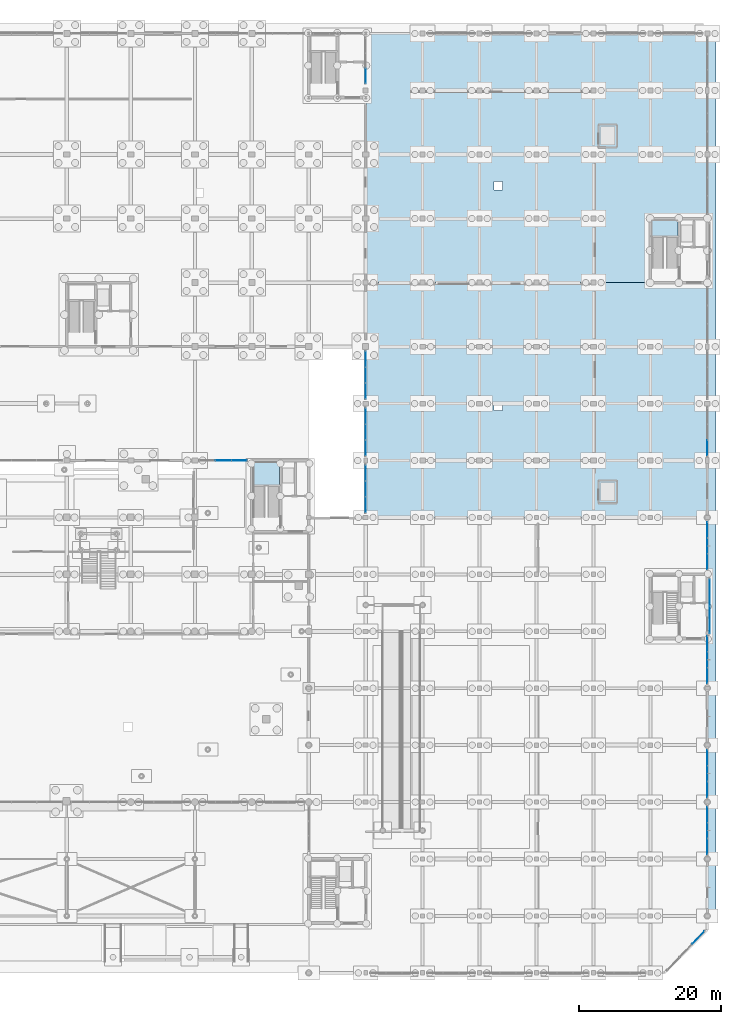
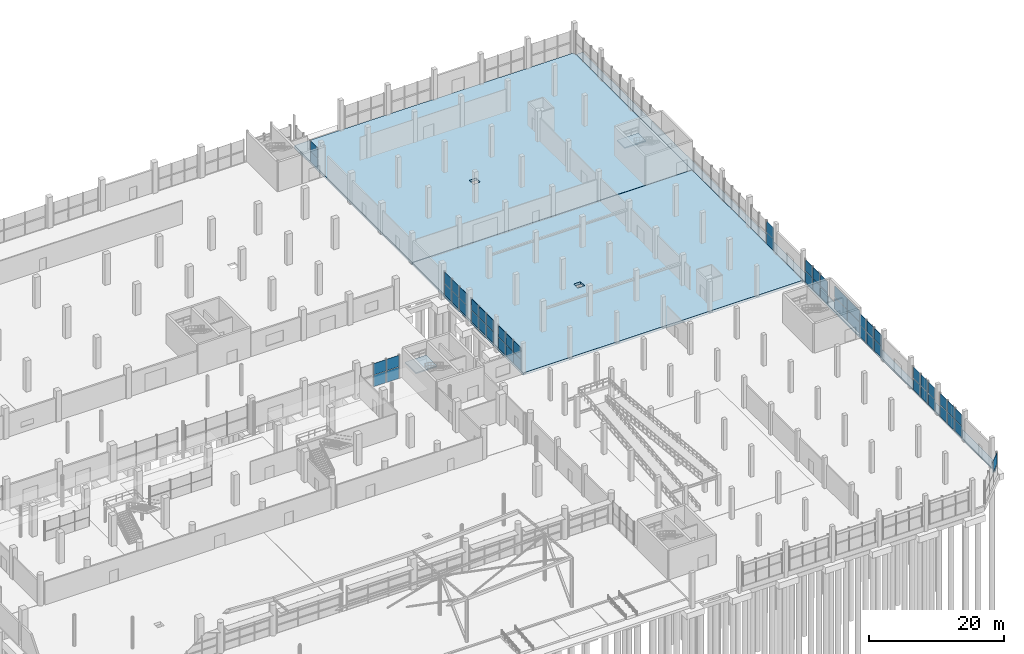
# One storey, part 68 of 98: 55 plates, 5 slabs, 14 elements without a shape of their own.
"""IFC4 building model written with IfcOpenShell, lengths in metres."""

from ifc_helpers import new_model, si_unit, derived_unit, direction, frame, origin, origin_2d, place, context, subcontext, project, spatial, polyline, rectangle, outline, extrude, material, layer, layer_set, type_object, element, aggregate, save


model = new_model("IFC4")

# Units and contexts
model_context = context("Model", 3, precision=1e-05, world=origin(), true_north=direction((0.0, 1.0)))
body_context = subcontext(model_context, "Body", "Model", "MODEL_VIEW")
ifc_project = project(units=[si_unit("LENGTHUNIT", "METRE"), si_unit("AREAUNIT", "SQUARE_METRE"), si_unit("VOLUMEUNIT", "CUBIC_METRE"), si_unit("PLANEANGLEUNIT", "RADIAN"), si_unit("MASSUNIT", "GRAM", prefix="KILO"), si_unit("THERMODYNAMICTEMPERATUREUNIT", "KELVIN"), derived_unit("THERMALTRANSMITTANCEUNIT", [(si_unit("POWERUNIT", "WATT"), 1), (si_unit("AREAUNIT", "SQUARE_METRE"), -1), (si_unit("THERMODYNAMICTEMPERATUREUNIT", "KELVIN"), -1)])], contexts=[model_context])

# Site, building, storey
site_placement = place(None, origin())
site = spatial("IfcSite", under=ifc_project, at=site_placement, CompositionType="ELEMENT")
building_placement = place(site_placement, origin())
building = spatial("IfcBuilding", under=site, at=building_placement, Name="Haiyu Intermodal Mobility Hub", CompositionType="ELEMENT")
storey_placement = place(building_placement, origin())
storey = spatial("IfcBuildingStorey", under=building, at=storey_placement, Name="L00", CompositionType="ELEMENT", Elevation=0.0)

# Curtain wall, plate
ifc_material_1 = material(Name="Low-e laminated insulating glass", Category="glass")
ifc_layer_1 = layer(ifc_material_1, 0.2099609375)
ifc_layer_set_1 = layer_set([ifc_layer_1], Name="Low-e laminated insulating glass")
curtain_wall_type_1 = type_object("IfcCurtainWallType", Name="CW-CW04", PredefinedType="NOTDEFINED", material=ifc_layer_set_1)
curtain_wall_1_placement = place(storey_placement, origin())
curtain_wall_1 = element("IfcCurtainWall", 1, at=curtain_wall_1_placement, inside=storey, type_object=curtain_wall_type_1, Name="Curtain Wall CW-V6E-L00-130", PredefinedType="NOTDEFINED")
ifc_layer_2 = layer(ifc_material_1, 0.035888671875)
ifc_layer_set_2 = layer_set([ifc_layer_2], Name="Low-e laminated insulating glass")
plate_type_1 = type_object("IfcPlateType", Name="PLT-CP01", PredefinedType="CURTAIN_PANEL", material=ifc_layer_set_2)
plate_1_placement = place(storey_placement, frame((210.0, 89.77294921875, 0.03515625), z_axis=(0.0, 0.0, 1.0), x_axis=(0.0, 1.0, 0.0)))
plate_1 = element("IfcPlate", 2, at=plate_1_placement, type_object=plate_type_1, Name="CW-V6E-L00-130-PN01", PredefinedType="CURTAIN_PANEL", context=body_context, shape_type="SweptSolid", body=[
    extrude(rectangle(XDim=2.136962890625, YDim=0.035888671875, at=origin_2d()), origin(), (0.0, 0.0, 1.0), 2.030029296875),
])

# Curtain wall, plates
curtain_wall_2_placement = place(storey_placement, origin())
curtain_wall_2 = element("IfcCurtainWall", 3, at=curtain_wall_2_placement, inside=storey, type_object=curtain_wall_type_1, Name="Curtain Wall CW-V6W-L00-140", PredefinedType="NOTDEFINED")
plate_2_placement = place(storey_placement, frame((162.0, 86.22705078125, 0.03515625), z_axis=(0.0, 0.0, 1.0), x_axis=(0.0, -1.0, 0.0)))
plate_2 = element("IfcPlate", 4, at=plate_2_placement, type_object=plate_type_1, Name="CW-V6W-L00-140-PN01", PredefinedType="CURTAIN_PANEL", context=body_context, shape_type="SweptSolid", body=[
    extrude(rectangle(XDim=2.136962890625, YDim=0.035888671875, at=origin_2d()), origin(), (0.0, 0.0, 1.0), 2.030029296875),
])
plate_3_placement = place(storey_placement, frame((162.0, 84.0, 0.03515625), z_axis=(0.0, 0.0, 1.0), x_axis=(0.0, -1.0, 0.0)))
plate_3 = element("IfcPlate", 5, at=plate_3_placement, type_object=plate_type_1, Name="CW-V6W-L00-140-PN03", PredefinedType="CURTAIN_PANEL", context=body_context, shape_type="SweptSolid", body=[
    extrude(rectangle(XDim=2.136962890625, YDim=0.035888671875, at=origin_2d()), origin(), (0.0, 0.0, 1.0), 2.030029296875),
])
plate_4_placement = place(storey_placement, frame((162.0, 81.77294921875, 0.03515625), z_axis=(0.0, 0.0, 1.0), x_axis=(0.0, -1.0, 0.0)))
plate_4 = element("IfcPlate", 6, at=plate_4_placement, type_object=plate_type_1, Name="CW-V6W-L00-140-PN05", PredefinedType="CURTAIN_PANEL", context=body_context, shape_type="SweptSolid", body=[
    extrude(rectangle(XDim=2.136962890625, YDim=0.035888671875, at=origin_2d()), origin(), (0.0, 0.0, 1.0), 2.030029296875),
])

curtain_wall_3_placement = place(storey_placement, origin())
curtain_wall_3 = element("IfcCurtainWall", 7, at=curtain_wall_3_placement, inside=storey, type_object=curtain_wall_type_1, Name="Curtain Wall CW-V6W-L00-141", PredefinedType="NOTDEFINED")
plate_5_placement = place(storey_placement, frame((162.0, 94.22705078125, 0.03515625), z_axis=(0.0, 0.0, 1.0), x_axis=(0.0, -1.0, 0.0)))
plate_5 = element("IfcPlate", 8, at=plate_5_placement, type_object=plate_type_1, Name="CW-V6W-L00-141-PN01", PredefinedType="CURTAIN_PANEL", context=body_context, shape_type="SweptSolid", body=[
    extrude(rectangle(XDim=2.136962890625, YDim=0.035888671875, at=origin_2d()), origin(), (0.0, 0.0, 1.0), 2.030029296875),
])
plate_6_placement = place(storey_placement, frame((162.0, 92.0, 0.03515625), z_axis=(0.0, 0.0, 1.0), x_axis=(0.0, -1.0, 0.0)))
plate_6 = element("IfcPlate", 9, at=plate_6_placement, type_object=plate_type_1, Name="CW-V6W-L00-141-PN03", PredefinedType="CURTAIN_PANEL", context=body_context, shape_type="SweptSolid", body=[
    extrude(rectangle(XDim=2.136962890625, YDim=0.035888671875, at=origin_2d()), origin(), (0.0, 0.0, 1.0), 2.030029296875),
])
plate_7_placement = place(storey_placement, frame((162.0, 89.77294921875, 0.03515625), z_axis=(0.0, 0.0, 1.0), x_axis=(0.0, -1.0, 0.0)))
plate_7 = element("IfcPlate", 10, at=plate_7_placement, type_object=plate_type_1, Name="CW-V6W-L00-141-PN05", PredefinedType="CURTAIN_PANEL", context=body_context, shape_type="SweptSolid", body=[
    extrude(rectangle(XDim=2.136962890625, YDim=0.035888671875, at=origin_2d()), origin(), (0.0, 0.0, 1.0), 2.030029296875),
])

curtain_wall_4_placement = place(storey_placement, origin())
curtain_wall_4 = element("IfcCurtainWall", 11, at=curtain_wall_4_placement, inside=storey, type_object=curtain_wall_type_1, Name="Curtain Wall CW-V6W-L00-142", PredefinedType="NOTDEFINED")
plate_8_placement = place(storey_placement, frame((162.0, 102.22705078125, 0.03515625), z_axis=(0.0, 0.0, 1.0), x_axis=(0.0, -1.0, 0.0)))
plate_8 = element("IfcPlate", 12, at=plate_8_placement, type_object=plate_type_1, Name="CW-V6W-L00-142-PN01", PredefinedType="CURTAIN_PANEL", context=body_context, shape_type="SweptSolid", body=[
    extrude(rectangle(XDim=2.136962890625, YDim=0.035888671875, at=origin_2d()), origin(), (0.0, 0.0, 1.0), 2.030029296875),
])
plate_9_placement = place(storey_placement, frame((162.0, 100.0, 0.03515625), z_axis=(0.0, 0.0, 1.0), x_axis=(0.0, -1.0, 0.0)))
plate_9 = element("IfcPlate", 13, at=plate_9_placement, type_object=plate_type_1, Name="CW-V6W-L00-142-PN03", PredefinedType="CURTAIN_PANEL", context=body_context, shape_type="SweptSolid", body=[
    extrude(rectangle(XDim=2.136962890625, YDim=0.035888671875, at=origin_2d()), origin(), (0.0, 0.0, 1.0), 2.030029296875),
])
plate_10_placement = place(storey_placement, frame((162.0, 97.77294921875, 0.03515625), z_axis=(0.0, 0.0, 1.0), x_axis=(0.0, -1.0, 0.0)))
plate_10 = element("IfcPlate", 14, at=plate_10_placement, type_object=plate_type_1, Name="CW-V6W-L00-142-PN05", PredefinedType="CURTAIN_PANEL", context=body_context, shape_type="SweptSolid", body=[
    extrude(rectangle(XDim=2.136962890625, YDim=0.035888671875, at=origin_2d()), origin(), (0.0, 0.0, 1.0), 2.030029296875),
])

curtain_wall_5_placement = place(storey_placement, origin())
curtain_wall_5 = element("IfcCurtainWall", 15, at=curtain_wall_5_placement, inside=storey, type_object=curtain_wall_type_1, Name="Curtain Wall CW-ECORE-L00-182", PredefinedType="NOTDEFINED")
plate_11_placement = place(storey_placement, frame((210.35009765625, 65.594970703125, 0.03515625), z_axis=(0.0, 0.0, 1.0), x_axis=(0.0, 1.0, 0.0)))
plate_11 = element("IfcPlate", 16, at=plate_11_placement, type_object=plate_type_1, Name="CW-ECORE-L00-182-PN01", PredefinedType="CURTAIN_PANEL", context=body_context, shape_type="SweptSolid", body=[
    extrude(rectangle(XDim=3.719970703125, YDim=0.035888671875, at=origin_2d()), origin(), (0.0, 0.0, 1.0), 2.030029296875),
])
plate_12_placement = place(storey_placement, frame((210.35009765625, 69.405029296875, 0.03515625), z_axis=(0.0, 0.0, 1.0), x_axis=(0.0, 1.0, 0.0)))
plate_12 = element("IfcPlate", 17, at=plate_12_placement, type_object=plate_type_1, Name="CW-ECORE-L00-182-PN03", PredefinedType="CURTAIN_PANEL", context=body_context, shape_type="SweptSolid", body=[
    extrude(rectangle(XDim=3.719970703125, YDim=0.035888671875, at=origin_2d()), origin(), (0.0, 0.0, 1.0), 2.030029296875),
])

ifc_layer_3 = layer(ifc_material_1, 0.25)
ifc_layer_set_3 = layer_set([ifc_layer_3], Name="Low-e laminated insulating glass")
curtain_wall_type_2 = type_object("IfcCurtainWallType", Name="CW-CW02", PredefinedType="NOTDEFINED", material=ifc_layer_set_3)
curtain_wall_6_placement = place(storey_placement, origin())
curtain_wall_6 = element("IfcCurtainWall", 18, at=curtain_wall_6_placement, inside=storey, type_object=curtain_wall_type_2, Name="Curtain Wall CW-V1N-L00-031", PredefinedType="NOTDEFINED")
ifc_material_2 = material(Name="Anodised aluminium 6063-T6", Category="aluminium")
ifc_layer_4 = layer(ifc_material_2, 0.0419921875)
ifc_layer_set_4 = layer_set([ifc_layer_4], Name="Anodised aluminium 6063-T6")
plate_type_2 = type_object("IfcPlateType", Name="PLT-CP02", PredefinedType="CURTAIN_PANEL", material=ifc_layer_set_4)
plate_13_placement = place(storey_placement, frame((144.22705078125, 88.0, 0.03466796875), z_axis=(0.0, 0.0, 1.0), x_axis=(-1.0, 0.0, 0.0)))
plate_13 = element("IfcPlate", 19, at=plate_13_placement, type_object=plate_type_2, Name="CW-V1N-L00-031-PN01", PredefinedType="CURTAIN_PANEL", context=body_context, shape_type="SweptSolid", body=[
    extrude(rectangle(XDim=2.136962890625, YDim=0.0419921875, at=origin_2d()), origin(), (0.0, 0.0, 1.0), 2.054931640625),
])
plate_14_placement = place(storey_placement, frame((142.0, 88.0, 0.03466796875), z_axis=(0.0, 0.0, 1.0), x_axis=(-1.0, 0.0, 0.0)))
plate_14 = element("IfcPlate", 20, at=plate_14_placement, type_object=plate_type_2, Name="CW-V1N-L00-031-PN03", PredefinedType="CURTAIN_PANEL", context=body_context, shape_type="SweptSolid", body=[
    extrude(rectangle(XDim=2.136962890625, YDim=0.0419921875, at=origin_2d()), origin(), (0.0, 0.0, 1.0), 2.054931640625),
])

curtain_wall_7_placement = place(storey_placement, origin())
curtain_wall_7 = element("IfcCurtainWall", 21, at=curtain_wall_7_placement, inside=storey, type_object=curtain_wall_type_1, Name="Curtain Wall CW-V5E-L00-089", PredefinedType="NOTDEFINED")
plate_15_placement = place(storey_placement, frame((210.0, 33.77294921875, 0.03515625), z_axis=(0.0, 0.0, 1.0), x_axis=(0.0, 1.0, 0.0)))
plate_15 = element("IfcPlate", 22, at=plate_15_placement, type_object=plate_type_2, Name="CW-V5E-L00-089-PN01", PredefinedType="CURTAIN_PANEL", context=body_context, shape_type="SweptSolid", body=[
    extrude(rectangle(XDim=2.136962890625, YDim=0.0419921875, at=origin_2d()), origin(), (0.0, 0.0, 1.0), 2.030029296875),
])
plate_16_placement = place(storey_placement, frame((210.0, 36.0, 0.03515625), z_axis=(0.0, 0.0, 1.0), x_axis=(0.0, 1.0, 0.0)))
plate_16 = element("IfcPlate", 23, at=plate_16_placement, type_object=plate_type_2, Name="CW-V5E-L00-089-PN03", PredefinedType="CURTAIN_PANEL", context=body_context, shape_type="SweptSolid", body=[
    extrude(rectangle(XDim=2.136962890625, YDim=0.0419921875, at=origin_2d()), origin(), (0.0, 0.0, 1.0), 2.030029296875),
])
plate_17_placement = place(storey_placement, frame((210.0, 38.22705078125, 0.03515625), z_axis=(0.0, 0.0, 1.0), x_axis=(0.0, 1.0, 0.0)))
plate_17 = element("IfcPlate", 24, at=plate_17_placement, type_object=plate_type_2, Name="CW-V5E-L00-089-PN05", PredefinedType="CURTAIN_PANEL", context=body_context, shape_type="SweptSolid", body=[
    extrude(rectangle(XDim=2.136962890625, YDim=0.0419921875, at=origin_2d()), origin(), (0.0, 0.0, 1.0), 2.030029296875),
])

curtain_wall_8_placement = place(storey_placement, origin())
curtain_wall_8 = element("IfcCurtainWall", 25, at=curtain_wall_8_placement, inside=storey, type_object=curtain_wall_type_1, Name="Curtain Wall CW-V5E-L00-090", PredefinedType="NOTDEFINED")
plate_18_placement = place(storey_placement, frame((210.0, 41.77294921875, 0.03515625), z_axis=(0.0, 0.0, 1.0), x_axis=(0.0, 1.0, 0.0)))
plate_18 = element("IfcPlate", 26, at=plate_18_placement, type_object=plate_type_2, Name="CW-V5E-L00-090-PN01", PredefinedType="CURTAIN_PANEL", context=body_context, shape_type="SweptSolid", body=[
    extrude(rectangle(XDim=2.136962890625, YDim=0.0419921875, at=origin_2d()), origin(), (0.0, 0.0, 1.0), 2.030029296875),
])
plate_19_placement = place(storey_placement, frame((210.0, 44.0, 0.03515625), z_axis=(0.0, 0.0, 1.0), x_axis=(0.0, 1.0, 0.0)))
plate_19 = element("IfcPlate", 27, at=plate_19_placement, type_object=plate_type_2, Name="CW-V5E-L00-090-PN03", PredefinedType="CURTAIN_PANEL", context=body_context, shape_type="SweptSolid", body=[
    extrude(rectangle(XDim=2.136962890625, YDim=0.0419921875, at=origin_2d()), origin(), (0.0, 0.0, 1.0), 2.030029296875),
])
plate_20_placement = place(storey_placement, frame((210.0, 46.22705078125, 0.03515625), z_axis=(0.0, 0.0, 1.0), x_axis=(0.0, 1.0, 0.0)))
plate_20 = element("IfcPlate", 28, at=plate_20_placement, type_object=plate_type_2, Name="CW-V5E-L00-090-PN05", PredefinedType="CURTAIN_PANEL", context=body_context, shape_type="SweptSolid", body=[
    extrude(rectangle(XDim=2.136962890625, YDim=0.0419921875, at=origin_2d()), origin(), (0.0, 0.0, 1.0), 2.030029296875),
])

curtain_wall_9_placement = place(storey_placement, origin())
curtain_wall_9 = element("IfcCurtainWall", 29, at=curtain_wall_9_placement, inside=storey, type_object=curtain_wall_type_1, Name="Curtain Wall CW-V5E-L00-091", PredefinedType="NOTDEFINED")
plate_21_placement = place(storey_placement, frame((210.0, 57.77294921875, 0.03515625), z_axis=(0.0, 0.0, 1.0), x_axis=(0.0, 1.0, 0.0)))
plate_21 = element("IfcPlate", 30, at=plate_21_placement, type_object=plate_type_2, Name="CW-V5E-L00-091-PN01", PredefinedType="CURTAIN_PANEL", context=body_context, shape_type="SweptSolid", body=[
    extrude(rectangle(XDim=2.136962890625, YDim=0.0419921875, at=origin_2d()), origin(), (0.0, 0.0, 1.0), 2.030029296875),
])
plate_22_placement = place(storey_placement, frame((210.0, 60.0, 0.03515625), z_axis=(0.0, 0.0, 1.0), x_axis=(0.0, 1.0, 0.0)))
plate_22 = element("IfcPlate", 31, at=plate_22_placement, type_object=plate_type_2, Name="CW-V5E-L00-091-PN03", PredefinedType="CURTAIN_PANEL", context=body_context, shape_type="SweptSolid", body=[
    extrude(rectangle(XDim=2.136962890625, YDim=0.0419921875, at=origin_2d()), origin(), (0.0, 0.0, 1.0), 2.030029296875),
])
plate_23_placement = place(storey_placement, frame((210.0, 62.22705078125, 0.03515625), z_axis=(0.0, 0.0, 1.0), x_axis=(0.0, 1.0, 0.0)))
plate_23 = element("IfcPlate", 32, at=plate_23_placement, type_object=plate_type_2, Name="CW-V5E-L00-091-PN05", PredefinedType="CURTAIN_PANEL", context=body_context, shape_type="SweptSolid", body=[
    extrude(rectangle(XDim=2.136962890625, YDim=0.0419921875, at=origin_2d()), origin(), (0.0, 0.0, 1.0), 2.030029296875),
])

curtain_wall_10_placement = place(storey_placement, origin())
curtain_wall_10 = element("IfcCurtainWall", 33, at=curtain_wall_10_placement, inside=storey, type_object=curtain_wall_type_1, Name="Curtain Wall CW-V5E-L00-092", PredefinedType="NOTDEFINED")
plate_24_placement = place(storey_placement, frame((210.0, 73.77294921875, 0.03515625), z_axis=(0.0, 0.0, 1.0), x_axis=(0.0, 1.0, 0.0)))
plate_24 = element("IfcPlate", 34, at=plate_24_placement, type_object=plate_type_2, Name="CW-V5E-L00-092-PN01", PredefinedType="CURTAIN_PANEL", context=body_context, shape_type="SweptSolid", body=[
    extrude(rectangle(XDim=2.136962890625, YDim=0.0419921875, at=origin_2d()), origin(), (0.0, 0.0, 1.0), 2.030029296875),
])
plate_25_placement = place(storey_placement, frame((210.0, 76.0, 0.03515625), z_axis=(0.0, 0.0, 1.0), x_axis=(0.0, 1.0, 0.0)))
plate_25 = element("IfcPlate", 35, at=plate_25_placement, type_object=plate_type_2, Name="CW-V5E-L00-092-PN03", PredefinedType="CURTAIN_PANEL", context=body_context, shape_type="SweptSolid", body=[
    extrude(rectangle(XDim=2.136962890625, YDim=0.0419921875, at=origin_2d()), origin(), (0.0, 0.0, 1.0), 2.030029296875),
])
plate_26_placement = place(storey_placement, frame((210.0, 78.22705078125, 0.03515625), z_axis=(0.0, 0.0, 1.0), x_axis=(0.0, 1.0, 0.0)))
plate_26 = element("IfcPlate", 36, at=plate_26_placement, type_object=plate_type_2, Name="CW-V5E-L00-092-PN05", PredefinedType="CURTAIN_PANEL", context=body_context, shape_type="SweptSolid", body=[
    extrude(rectangle(XDim=2.136962890625, YDim=0.0419921875, at=origin_2d()), origin(), (0.0, 0.0, 1.0), 2.030029296875),
])

# Curtain wall, plate
ifc_layer_5 = layer(ifc_material_1, 0.199951171875)
ifc_layer_set_5 = layer_set([ifc_layer_5], Name="Low-e laminated insulating glass")
curtain_wall_type_3 = type_object("IfcCurtainWallType", Name="CW-CW03", PredefinedType="NOTDEFINED", material=ifc_layer_set_5)
curtain_wall_11_placement = place(storey_placement, origin())
curtain_wall_11 = element("IfcCurtainWall", 37, at=curtain_wall_11_placement, inside=storey, type_object=curtain_wall_type_3, Name="Curtain Wall CW-C4S-L00-064", PredefinedType="NOTDEFINED")
ifc_layer_6 = layer(ifc_material_1, 0.0400390625)
ifc_layer_set_6 = layer_set([ifc_layer_6], Name="Low-e laminated insulating glass")
plate_type_3 = type_object("IfcPlateType", Name="PLT-CP03", PredefinedType="CURTAIN_PANEL", material=ifc_layer_set_6)
plate_27_placement = place(storey_placement, frame((162.0, 142.048095703125, 0.03515625), z_axis=(0.0, 0.0, 1.0), x_axis=(0.0, 1.0, 0.0)))
plate_27 = element("IfcPlate", 38, at=plate_27_placement, type_object=plate_type_3, Name="CW-C4S-L00-064-PN01", PredefinedType="CURTAIN_PANEL", context=body_context, shape_type="SweptSolid", body=[
    extrude(rectangle(XDim=2.027099609375, YDim=0.0400390625, at=origin_2d()), origin(), (0.0, 0.0, 1.0), 1.840087890625),
])

# Plate
ifc_layer_7 = layer(ifc_material_1, 0.0439453125)
ifc_layer_set_7 = layer_set([ifc_layer_7], Name="Low-e laminated insulating glass")
plate_type_4 = type_object("IfcPlateType", Name="PLT-CP04", PredefinedType="CURTAIN_PANEL", material=ifc_layer_set_7)
plate_28_placement = place(storey_placement, frame((144.22705078125, 88.0, 2.16064453125), z_axis=(0.0, 0.0, 1.0), x_axis=(-1.0, 0.0, 0.0)))
plate_28 = element("IfcPlate", 39, at=plate_28_placement, type_object=plate_type_4, Name="CW-V1N-L00-031-PN02", PredefinedType="CURTAIN_PANEL", context=body_context, shape_type="SweptSolid", body=[
    extrude(rectangle(XDim=2.136962890625, YDim=0.0439453125, at=origin_2d()), origin(), (0.0, 0.0, 1.0), 2.054931640625),
])

plate_29_placement = place(storey_placement, frame((142.0, 88.0, 2.16064453125), z_axis=(0.0, 0.0, 1.0), x_axis=(-1.0, 0.0, 0.0)))
plate_29 = element("IfcPlate", 40, at=plate_29_placement, type_object=plate_type_4, Name="CW-V1N-L00-031-PN04", PredefinedType="CURTAIN_PANEL", context=body_context, shape_type="SweptSolid", body=[
    extrude(rectangle(XDim=2.136962890625, YDim=0.0439453125, at=origin_2d()), origin(), (0.0, 0.0, 1.0), 2.054931640625),
])

aggregate(curtain_wall_6, [plate_13, plate_28, plate_14, plate_29])

plate_30_placement = place(storey_placement, frame((162.0, 142.048095703125, 1.94482421875), z_axis=(0.0, 0.0, 1.0), x_axis=(0.0, 1.0, 0.0)))
plate_30 = element("IfcPlate", 41, at=plate_30_placement, type_object=plate_type_4, Name="CW-C4S-L00-064-PN02", PredefinedType="CURTAIN_PANEL", context=body_context, shape_type="SweptSolid", body=[
    extrude(rectangle(XDim=2.027099609375, YDim=0.0439453125, at=origin_2d()), origin(), (0.0, 0.0, 1.0), 1.840087890625),
])

aggregate(curtain_wall_11, [plate_27, plate_30])

plate_31_placement = place(storey_placement, frame((210.0, 33.77294921875, 2.134765625), z_axis=(0.0, 0.0, 1.0), x_axis=(0.0, 1.0, 0.0)))
plate_31 = element("IfcPlate", 42, at=plate_31_placement, type_object=plate_type_4, Name="CW-V5E-L00-089-PN02", PredefinedType="CURTAIN_PANEL", context=body_context, shape_type="SweptSolid", body=[
    extrude(rectangle(XDim=2.136962890625, YDim=0.0439453125, at=origin_2d()), origin(), (0.0, 0.0, 1.0), 2.030029296875),
])

plate_32_placement = place(storey_placement, frame((210.0, 36.0, 2.134765625), z_axis=(0.0, 0.0, 1.0), x_axis=(0.0, 1.0, 0.0)))
plate_32 = element("IfcPlate", 43, at=plate_32_placement, type_object=plate_type_4, Name="CW-V5E-L00-089-PN04", PredefinedType="CURTAIN_PANEL", context=body_context, shape_type="SweptSolid", body=[
    extrude(rectangle(XDim=2.136962890625, YDim=0.0439453125, at=origin_2d()), origin(), (0.0, 0.0, 1.0), 2.030029296875),
])

plate_33_placement = place(storey_placement, frame((210.0, 38.22705078125, 2.134765625), z_axis=(0.0, 0.0, 1.0), x_axis=(0.0, 1.0, 0.0)))
plate_33 = element("IfcPlate", 44, at=plate_33_placement, type_object=plate_type_4, Name="CW-V5E-L00-089-PN06", PredefinedType="CURTAIN_PANEL", context=body_context, shape_type="SweptSolid", body=[
    extrude(rectangle(XDim=2.136962890625, YDim=0.0439453125, at=origin_2d()), origin(), (0.0, 0.0, 1.0), 2.030029296875),
])

aggregate(curtain_wall_7, [plate_15, plate_31, plate_16, plate_32, plate_17, plate_33])

plate_34_placement = place(storey_placement, frame((210.0, 41.77294921875, 2.134765625), z_axis=(0.0, 0.0, 1.0), x_axis=(0.0, 1.0, 0.0)))
plate_34 = element("IfcPlate", 45, at=plate_34_placement, type_object=plate_type_4, Name="CW-V5E-L00-090-PN02", PredefinedType="CURTAIN_PANEL", context=body_context, shape_type="SweptSolid", body=[
    extrude(rectangle(XDim=2.136962890625, YDim=0.0439453125, at=origin_2d()), origin(), (0.0, 0.0, 1.0), 2.030029296875),
])

plate_35_placement = place(storey_placement, frame((210.0, 44.0, 2.134765625), z_axis=(0.0, 0.0, 1.0), x_axis=(0.0, 1.0, 0.0)))
plate_35 = element("IfcPlate", 46, at=plate_35_placement, type_object=plate_type_4, Name="CW-V5E-L00-090-PN04", PredefinedType="CURTAIN_PANEL", context=body_context, shape_type="SweptSolid", body=[
    extrude(rectangle(XDim=2.136962890625, YDim=0.0439453125, at=origin_2d()), origin(), (0.0, 0.0, 1.0), 2.030029296875),
])

plate_36_placement = place(storey_placement, frame((210.0, 46.22705078125, 2.134765625), z_axis=(0.0, 0.0, 1.0), x_axis=(0.0, 1.0, 0.0)))
plate_36 = element("IfcPlate", 47, at=plate_36_placement, type_object=plate_type_4, Name="CW-V5E-L00-090-PN06", PredefinedType="CURTAIN_PANEL", context=body_context, shape_type="SweptSolid", body=[
    extrude(rectangle(XDim=2.136962890625, YDim=0.0439453125, at=origin_2d()), origin(), (0.0, 0.0, 1.0), 2.030029296875),
])

aggregate(curtain_wall_8, [plate_18, plate_34, plate_19, plate_35, plate_20, plate_36])

plate_37_placement = place(storey_placement, frame((210.0, 57.77294921875, 2.134765625), z_axis=(0.0, 0.0, 1.0), x_axis=(0.0, 1.0, 0.0)))
plate_37 = element("IfcPlate", 48, at=plate_37_placement, type_object=plate_type_4, Name="CW-V5E-L00-091-PN02", PredefinedType="CURTAIN_PANEL", context=body_context, shape_type="SweptSolid", body=[
    extrude(rectangle(XDim=2.136962890625, YDim=0.0439453125, at=origin_2d()), origin(), (0.0, 0.0, 1.0), 2.030029296875),
])

plate_38_placement = place(storey_placement, frame((210.0, 60.0, 2.134765625), z_axis=(0.0, 0.0, 1.0), x_axis=(0.0, 1.0, 0.0)))
plate_38 = element("IfcPlate", 49, at=plate_38_placement, type_object=plate_type_4, Name="CW-V5E-L00-091-PN04", PredefinedType="CURTAIN_PANEL", context=body_context, shape_type="SweptSolid", body=[
    extrude(rectangle(XDim=2.136962890625, YDim=0.0439453125, at=origin_2d()), origin(), (0.0, 0.0, 1.0), 2.030029296875),
])

plate_39_placement = place(storey_placement, frame((210.0, 62.22705078125, 2.134765625), z_axis=(0.0, 0.0, 1.0), x_axis=(0.0, 1.0, 0.0)))
plate_39 = element("IfcPlate", 50, at=plate_39_placement, type_object=plate_type_4, Name="CW-V5E-L00-091-PN06", PredefinedType="CURTAIN_PANEL", context=body_context, shape_type="SweptSolid", body=[
    extrude(rectangle(XDim=2.136962890625, YDim=0.0439453125, at=origin_2d()), origin(), (0.0, 0.0, 1.0), 2.030029296875),
])

aggregate(curtain_wall_9, [plate_21, plate_37, plate_22, plate_38, plate_23, plate_39])

plate_40_placement = place(storey_placement, frame((210.0, 73.77294921875, 2.134765625), z_axis=(0.0, 0.0, 1.0), x_axis=(0.0, 1.0, 0.0)))
plate_40 = element("IfcPlate", 51, at=plate_40_placement, type_object=plate_type_4, Name="CW-V5E-L00-092-PN02", PredefinedType="CURTAIN_PANEL", context=body_context, shape_type="SweptSolid", body=[
    extrude(rectangle(XDim=2.136962890625, YDim=0.0439453125, at=origin_2d()), origin(), (0.0, 0.0, 1.0), 2.030029296875),
])

plate_41_placement = place(storey_placement, frame((210.0, 76.0, 2.134765625), z_axis=(0.0, 0.0, 1.0), x_axis=(0.0, 1.0, 0.0)))
plate_41 = element("IfcPlate", 52, at=plate_41_placement, type_object=plate_type_4, Name="CW-V5E-L00-092-PN04", PredefinedType="CURTAIN_PANEL", context=body_context, shape_type="SweptSolid", body=[
    extrude(rectangle(XDim=2.136962890625, YDim=0.0439453125, at=origin_2d()), origin(), (0.0, 0.0, 1.0), 2.030029296875),
])

plate_42_placement = place(storey_placement, frame((210.0, 78.22705078125, 2.134765625), z_axis=(0.0, 0.0, 1.0), x_axis=(0.0, 1.0, 0.0)))
plate_42 = element("IfcPlate", 53, at=plate_42_placement, type_object=plate_type_4, Name="CW-V5E-L00-092-PN06", PredefinedType="CURTAIN_PANEL", context=body_context, shape_type="SweptSolid", body=[
    extrude(rectangle(XDim=2.136962890625, YDim=0.0439453125, at=origin_2d()), origin(), (0.0, 0.0, 1.0), 2.030029296875),
])

aggregate(curtain_wall_10, [plate_24, plate_40, plate_25, plate_41, plate_26, plate_42])

plate_43_placement = place(storey_placement, frame((210.0, 89.77294921875, 2.134765625), z_axis=(0.0, 0.0, 1.0), x_axis=(0.0, 1.0, 0.0)))
plate_43 = element("IfcPlate", 54, at=plate_43_placement, type_object=plate_type_4, Name="CW-V6E-L00-130-PN02", PredefinedType="CURTAIN_PANEL", context=body_context, shape_type="SweptSolid", body=[
    extrude(rectangle(XDim=2.136962890625, YDim=0.0439453125, at=origin_2d()), origin(), (0.0, 0.0, 1.0), 2.030029296875),
])

aggregate(curtain_wall_1, [plate_1, plate_43])

plate_44_placement = place(storey_placement, frame((162.0, 86.22705078125, 2.134765625), z_axis=(0.0, 0.0, 1.0), x_axis=(0.0, -1.0, 0.0)))
plate_44 = element("IfcPlate", 55, at=plate_44_placement, type_object=plate_type_4, Name="CW-V6W-L00-140-PN02", PredefinedType="CURTAIN_PANEL", context=body_context, shape_type="SweptSolid", body=[
    extrude(rectangle(XDim=2.136962890625, YDim=0.0439453125, at=origin_2d()), origin(), (0.0, 0.0, 1.0), 2.030029296875),
])

plate_45_placement = place(storey_placement, frame((162.0, 84.0, 2.134765625), z_axis=(0.0, 0.0, 1.0), x_axis=(0.0, -1.0, 0.0)))
plate_45 = element("IfcPlate", 56, at=plate_45_placement, type_object=plate_type_4, Name="CW-V6W-L00-140-PN04", PredefinedType="CURTAIN_PANEL", context=body_context, shape_type="SweptSolid", body=[
    extrude(rectangle(XDim=2.136962890625, YDim=0.0439453125, at=origin_2d()), origin(), (0.0, 0.0, 1.0), 2.030029296875),
])

plate_46_placement = place(storey_placement, frame((162.0, 81.77294921875, 2.134765625), z_axis=(0.0, 0.0, 1.0), x_axis=(0.0, -1.0, 0.0)))
plate_46 = element("IfcPlate", 57, at=plate_46_placement, type_object=plate_type_4, Name="CW-V6W-L00-140-PN06", PredefinedType="CURTAIN_PANEL", context=body_context, shape_type="SweptSolid", body=[
    extrude(rectangle(XDim=2.136962890625, YDim=0.0439453125, at=origin_2d()), origin(), (0.0, 0.0, 1.0), 2.030029296875),
])

aggregate(curtain_wall_2, [plate_2, plate_44, plate_3, plate_45, plate_4, plate_46])

plate_47_placement = place(storey_placement, frame((162.0, 94.22705078125, 2.134765625), z_axis=(0.0, 0.0, 1.0), x_axis=(0.0, -1.0, 0.0)))
plate_47 = element("IfcPlate", 58, at=plate_47_placement, type_object=plate_type_4, Name="CW-V6W-L00-141-PN02", PredefinedType="CURTAIN_PANEL", context=body_context, shape_type="SweptSolid", body=[
    extrude(rectangle(XDim=2.136962890625, YDim=0.0439453125, at=origin_2d()), origin(), (0.0, 0.0, 1.0), 2.030029296875),
])

plate_48_placement = place(storey_placement, frame((162.0, 92.0, 2.134765625), z_axis=(0.0, 0.0, 1.0), x_axis=(0.0, -1.0, 0.0)))
plate_48 = element("IfcPlate", 59, at=plate_48_placement, type_object=plate_type_4, Name="CW-V6W-L00-141-PN04", PredefinedType="CURTAIN_PANEL", context=body_context, shape_type="SweptSolid", body=[
    extrude(rectangle(XDim=2.136962890625, YDim=0.0439453125, at=origin_2d()), origin(), (0.0, 0.0, 1.0), 2.030029296875),
])

plate_49_placement = place(storey_placement, frame((162.0, 89.77294921875, 2.134765625), z_axis=(0.0, 0.0, 1.0), x_axis=(0.0, -1.0, 0.0)))
plate_49 = element("IfcPlate", 60, at=plate_49_placement, type_object=plate_type_4, Name="CW-V6W-L00-141-PN06", PredefinedType="CURTAIN_PANEL", context=body_context, shape_type="SweptSolid", body=[
    extrude(rectangle(XDim=2.136962890625, YDim=0.0439453125, at=origin_2d()), origin(), (0.0, 0.0, 1.0), 2.030029296875),
])

aggregate(curtain_wall_3, [plate_5, plate_47, plate_6, plate_48, plate_7, plate_49])

plate_50_placement = place(storey_placement, frame((162.0, 102.22705078125, 2.134765625), z_axis=(0.0, 0.0, 1.0), x_axis=(0.0, -1.0, 0.0)))
plate_50 = element("IfcPlate", 61, at=plate_50_placement, type_object=plate_type_4, Name="CW-V6W-L00-142-PN02", PredefinedType="CURTAIN_PANEL", context=body_context, shape_type="SweptSolid", body=[
    extrude(rectangle(XDim=2.136962890625, YDim=0.0439453125, at=origin_2d()), origin(), (0.0, 0.0, 1.0), 2.030029296875),
])

plate_51_placement = place(storey_placement, frame((162.0, 100.0, 2.134765625), z_axis=(0.0, 0.0, 1.0), x_axis=(0.0, -1.0, 0.0)))
plate_51 = element("IfcPlate", 62, at=plate_51_placement, type_object=plate_type_4, Name="CW-V6W-L00-142-PN04", PredefinedType="CURTAIN_PANEL", context=body_context, shape_type="SweptSolid", body=[
    extrude(rectangle(XDim=2.136962890625, YDim=0.0439453125, at=origin_2d()), origin(), (0.0, 0.0, 1.0), 2.030029296875),
])

plate_52_placement = place(storey_placement, frame((162.0, 97.77294921875, 2.134765625), z_axis=(0.0, 0.0, 1.0), x_axis=(0.0, -1.0, 0.0)))
plate_52 = element("IfcPlate", 63, at=plate_52_placement, type_object=plate_type_4, Name="CW-V6W-L00-142-PN06", PredefinedType="CURTAIN_PANEL", context=body_context, shape_type="SweptSolid", body=[
    extrude(rectangle(XDim=2.136962890625, YDim=0.0439453125, at=origin_2d()), origin(), (0.0, 0.0, 1.0), 2.030029296875),
])

aggregate(curtain_wall_4, [plate_8, plate_50, plate_9, plate_51, plate_10, plate_52])

# Curtain wall, plate
curtain_wall_12_placement = place(storey_placement, origin())
curtain_wall_12 = element("IfcCurtainWall", 64, at=curtain_wall_12_placement, inside=storey, type_object=curtain_wall_type_1, Name="Curtain Wall CW-V5CH-L00-178", PredefinedType="NOTDEFINED")
plate_53_placement = place(storey_placement, frame((208.748046875, 20.9560546875, 2.134765625), z_axis=(0.0, 0.0, 1.0), x_axis=(0.690630691319, 0.723207610723, 0.0)))
plate_53 = element("IfcPlate", 65, at=plate_53_placement, type_object=plate_type_4, Name="CW-V5CH-L00-178-PN06", PredefinedType="CURTAIN_PANEL", context=body_context, shape_type="SweptSolid", body=[
    extrude(rectangle(XDim=2.44091796875, YDim=0.0439453125, at=origin_2d()), origin(), (0.0, 0.0, 1.0), 2.030029296875),
])
aggregate(curtain_wall_12, [plate_53])

# Plate
plate_54_placement = place(storey_placement, frame((210.35009765625, 65.594970703125, 2.134765625), z_axis=(0.0, 0.0, 1.0), x_axis=(0.0, 1.0, 0.0)))
plate_54 = element("IfcPlate", 66, at=plate_54_placement, type_object=plate_type_4, Name="CW-ECORE-L00-182-PN02", PredefinedType="CURTAIN_PANEL", context=body_context, shape_type="SweptSolid", body=[
    extrude(rectangle(XDim=3.719970703125, YDim=0.0439453125, at=origin_2d()), origin(), (0.0, 0.0, 1.0), 2.030029296875),
])

plate_55_placement = place(storey_placement, frame((210.35009765625, 69.405029296875, 2.134765625), z_axis=(0.0, 0.0, 1.0), x_axis=(0.0, 1.0, 0.0)))
plate_55 = element("IfcPlate", 67, at=plate_55_placement, type_object=plate_type_4, Name="CW-ECORE-L00-182-PN04", PredefinedType="CURTAIN_PANEL", context=body_context, shape_type="SweptSolid", body=[
    extrude(rectangle(XDim=3.719970703125, YDim=0.0439453125, at=origin_2d()), origin(), (0.0, 0.0, 1.0), 2.030029296875),
])

aggregate(curtain_wall_5, [plate_11, plate_54, plate_12, plate_55])

# Slabs
ifc_material_3 = material(Name="Concrete C40", Category="concrete")
ifc_layer_8 = layer(ifc_material_3, 0.449951171875)
ifc_layer_set_8 = layer_set([ifc_layer_8], Name="Concrete C40")
slab_type_1 = type_object("IfcSlabType", Name="SLB-SL01", PredefinedType="BASESLAB", material=ifc_layer_set_8)
slab_1_placement = place(storey_placement, frame((0.0, 0.0, -0.449951171875)))
element("IfcSlab", 68, at=slab_1_placement, inside=storey, type_object=slab_type_1, Name="L00 Fleet Maintenance Workshop South Slab", PredefinedType="BASESLAB", context=body_context, shape_type="SweptSolid", body=[
    extrude(outline(polyline([(162.02001953125, 80.02001953125), (210.0, 80.02001953125), (210.0, 112.97998046875), (162.02001953125, 112.97998046875), (162.02001953125, 80.02001953125)]), holes=[polyline([(180.0, 95.0), (181.199951171875, 95.0), (181.199951171875, 96.199951171875), (180.0, 96.199951171875), (180.0, 95.0)])]), origin(), (0.0, 0.0, 1.0), 0.449951171875),
])
slab_2_placement = place(storey_placement, frame((0.0, 0.0, -0.449951171875)))
element("IfcSlab", 69, at=slab_2_placement, inside=storey, type_object=slab_type_1, Name="L00 Inspection Bay & Plant North Slab", PredefinedType="BASESLAB", context=body_context, shape_type="SweptSolid", body=[
    extrude(outline(polyline([(162.02001953125, 113.02001953125), (210.0, 113.02001953125), (210.0, 148.0), (162.02001953125, 148.0), (162.02001953125, 113.02001953125)]), holes=[polyline([(180.0, 126.0), (181.199951171875, 126.0), (181.199951171875, 127.199951171875), (180.0, 127.199951171875), (180.0, 126.0)])]), origin(), (0.0, 0.0, 1.0), 0.449951171875),
])
ifc_layer_9 = layer(ifc_material_3, 0.320068359375)
ifc_layer_set_9 = layer_set([ifc_layer_9], Name="Concrete C40")
slab_type_2 = type_object("IfcSlabType", Name="SLB-SL03", PredefinedType="BASESLAB", material=ifc_layer_set_9)
slab_3_placement = place(storey_placement, frame((0.0, 0.0, -0.320068359375)))
element("IfcSlab", 70, at=slab_3_placement, inside=storey, type_object=slab_type_2, Name="East Workshop & Cycle Apron Plinth Deck", PredefinedType="BASESLAB", context=body_context, shape_type="SweptSolid", body=[
    extrude(outline(polyline([(210.02001953125, 23.0), (211.199951171875, 24.5), (211.199951171875, 147.5), (210.02001953125, 147.5), (210.02001953125, 23.0)])), origin(), (0.0, 0.0, 1.0), 0.320068359375),
])

# Stair, slab
stair_type = type_object("IfcStairType", Name="STR-ST01", PredefinedType="HALF_TURN_STAIR", material=ifc_material_3)
stair_1_placement = place(storey_placement, origin())
stair_1 = element("IfcStair", 71, at=stair_1_placement, inside=storey, type_object=stair_type, Name="Exit Stair ST01 L00", PredefinedType="HALF_TURN_STAIR")
ifc_layer_10 = layer(ifc_material_3, 0.2099609375)
ifc_layer_set_10 = layer_set([ifc_layer_10], Name="Concrete C40")
slab_type_3 = type_object("IfcSlabType", Name="SLB-SL13", PredefinedType="LANDING", material=ifc_layer_set_10)
slab_4_placement = place(storey_placement, frame((0.0, 0.0, 2.590087890625)))
slab_4 = element("IfcSlab", 72, at=slab_4_placement, type_object=slab_type_3, Name="Stair Half-Landing STR-C2-L00-LND", PredefinedType="LANDING", context=body_context, shape_type="SweptSolid", body=[
    extrude(outline(polyline([(146.219970703125, 84.530029296875), (149.8701171875, 84.530029296875), (149.8701171875, 87.780029296875), (146.219970703125, 87.780029296875), (146.219970703125, 84.530029296875)])), origin(), (0.0, 0.0, 1.0), 0.2099609375),
])
aggregate(stair_1, [slab_4])

stair_2_placement = place(storey_placement, origin())
stair_2 = element("IfcStair", 73, at=stair_2_placement, inside=storey, type_object=stair_type, Name="Exit Stair ST03 L00", PredefinedType="HALF_TURN_STAIR")
slab_5_placement = place(storey_placement, frame((0.0, 0.0, 2.590087890625)))
slab_5 = element("IfcSlab", 74, at=slab_5_placement, type_object=slab_type_3, Name="Stair Half-Landing STR-C10-L00-LND", PredefinedType="LANDING", context=body_context, shape_type="SweptSolid", body=[
    extrude(outline(polyline([(202.219970703125, 119.530029296875), (205.8701171875, 119.530029296875), (205.8701171875, 121.780029296875), (202.219970703125, 121.780029296875), (202.219970703125, 119.530029296875)])), origin(), (0.0, 0.0, 1.0), 0.2099609375),
])
aggregate(stair_2, [slab_5])

save(model, "model.ifc")
